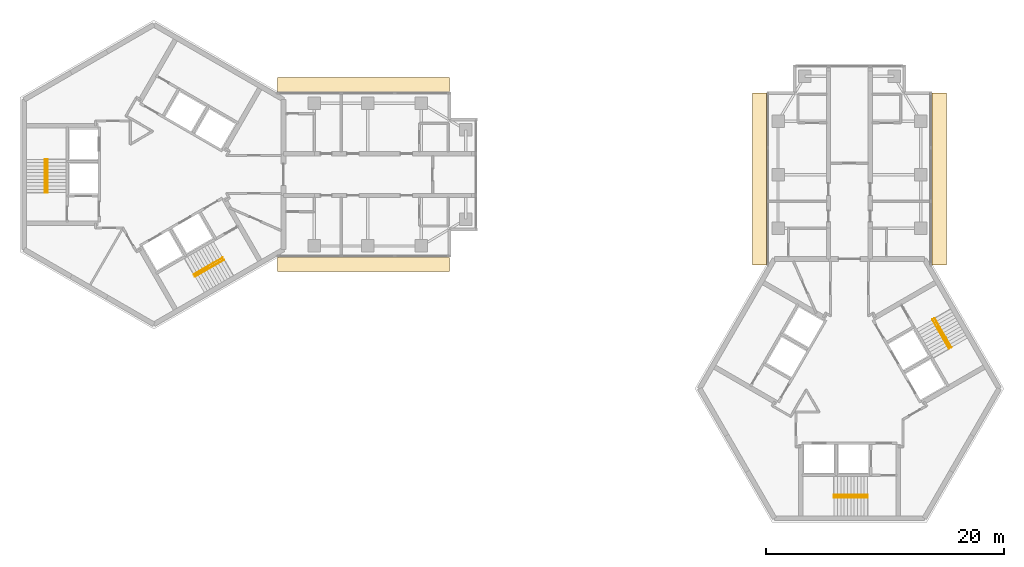
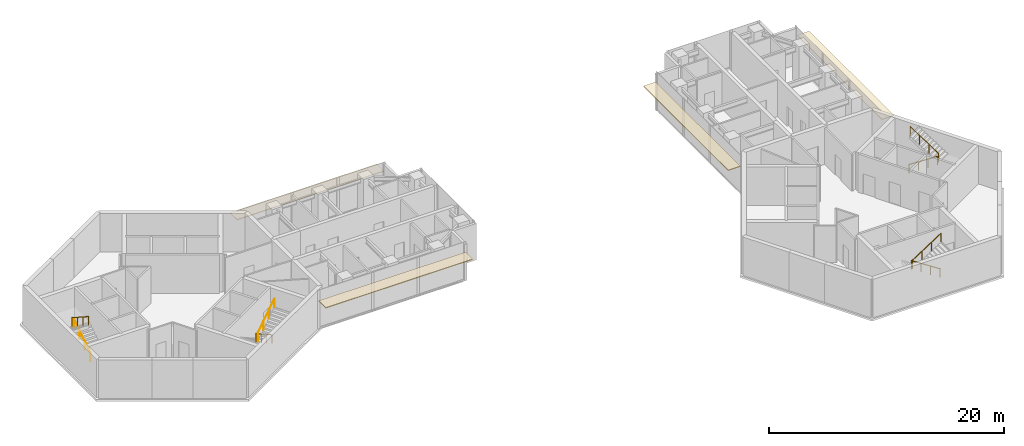
# One storey, part 11 of 11: 8 railings, 4 coverings.
"""IFC4 building model written with IfcOpenShell, lengths in metres."""

from ifc_helpers import new_model, si_unit, direction, frame, origin, origin_2d, place, context, subcontext, project, spatial, rectangle, circle, extrude, material, layer, layer_set, type_object, element, save


model = new_model("IFC4")

# Units and contexts
model_context = context("Model", 3, precision=1e-05, world=origin(), true_north=direction((0.0, 1.0)))
body_context = subcontext(model_context, "Body", "Model", "MODEL_VIEW")
ifc_project = project(units=[si_unit("LENGTHUNIT", "METRE"), si_unit("AREAUNIT", "SQUARE_METRE"), si_unit("VOLUMEUNIT", "CUBIC_METRE"), si_unit("PLANEANGLEUNIT", "RADIAN"), si_unit("MASSUNIT", "GRAM", prefix="KILO")], contexts=[model_context])

# Site, building, storey
site_placement = place(None, origin())
site = spatial("IfcSite", under=ifc_project, at=site_placement, CompositionType="ELEMENT")
building_placement = place(site_placement, origin())
building = spatial("IfcBuilding", under=site, at=building_placement, Name="Upepo Twin Towers", CompositionType="ELEMENT")
storey_placement = place(building_placement, frame((0.0, 0.0, 247.5)))
storey = spatial("IfcBuildingStorey", under=building, at=storey_placement, Name="L60", CompositionType="ELEMENT", Elevation=247.5)

# Coverings
ifc_material_1 = material(Name="Anodised aluminium, pale silver", Category="aluminium")
ifc_layer = layer(ifc_material_1, 0.080078125)
ifc_layer_set = layer_set([ifc_layer], Name="Brise-soleil blade 1200 pale aluminium")
covering_type = type_object("IfcCoveringType", Name="Brise-soleil blade 1200 pale aluminium", PredefinedType="USERDEFINED", material=ifc_layer_set)
for number, where, z_axis, x_axis, name in (
    (1, (17.61865234375, 7.56494140625, 2.909912109375), (0.0, 0.0, 1.0), (1.0, 0.0, 0.0), "T1 L60 wing A brise-soleil L"),
    (2, (17.61865234375, -7.56494140625, 2.909912109375), (0.0, 0.0, 1.0), (1.0, 0.0, 0.0), "T1 L60 wing A brise-soleil R"),
    (3, (50.93505859375, -0.38134765625, 2.909912109375), (0.0, 0.0, 1.0), (0.0, 1.0, 0.0), "T2 L60 wing A brise-soleil L"),
    (4, (66.06494140625, -0.38134765625, 2.909912109375), (0.0, 0.0, 1.0), (0.0, 1.0, 0.0), "T2 L60 wing A brise-soleil R"),
):
    element("IfcCovering", number, at=place(storey_placement, frame(where, z_axis=z_axis, x_axis=x_axis)), inside=storey, type_object=covering_type, Name=name, ObjectType="SUNSHADE", PredefinedType="USERDEFINED", context=body_context, shape_type="SweptSolid", body=[
        extrude(rectangle(XDim=14.462890625, YDim=1.199951171875, at=origin_2d()), origin(), (0.0, 0.0, 1.0), 0.080078125),
    ])

# Railings
ifc_material_2 = material(Name="Stainless steel", Category="steel")
railing_type = type_object("IfcRailingType", Name="Stair handrail 900", PredefinedType="HANDRAIL", material=ifc_material_2)
railing_1_placement = place(storey_placement, frame((-8.949951171875, -1.52001953125, 0.181884765625)))
element("IfcRailing", 5, at=railing_1_placement, inside=storey, type_object=railing_type, Name="T1 stair S1 L60 handrail 1", PredefinedType="HANDRAIL", context=body_context, shape_type="SweptSolid", body=[
    extrude(circle(Radius=0.02392578125, at=origin_2d()), frame((0.0, 0.0, 0.8759765625), z_axis=(0.0, 0.838705829183, 0.544584733623), x_axis=(-1.0, 0.0, 0.0)), (0.0, 0.0, 1.0), 3.338623046875),
    extrude(circle(Radius=0.02099609375, at=origin_2d()), origin(), (0.0, 0.0, 1.0), 0.851806640625),
    extrude(circle(Radius=0.02099609375, at=origin_2d()), frame((0.0, 0.933349609375, 0.60595703125)), (0.0, 0.0, 1.0), 0.851806640625),
    extrude(circle(Radius=0.02099609375, at=origin_2d()), frame((0.0, 1.86669921875, 1.212158203125)), (0.0, 0.0, 1.0), 0.851806640625),
    extrude(circle(Radius=0.02099609375, at=origin_2d()), frame((0.0, 2.800048828125, 1.818115234375)), (0.0, 0.0, 1.0), 0.851806640625),
])
railing_2_placement = place(storey_placement, frame((-9.158447265625, 1.280029296875, 2.181884765625)))
element("IfcRailing", 6, at=railing_2_placement, inside=storey, type_object=railing_type, Name="T1 stair S1 L60 handrail 2", PredefinedType="HANDRAIL", context=body_context, shape_type="SweptSolid", body=[
    extrude(circle(Radius=0.02392578125, at=origin_2d()), frame((0.0, 0.0, 0.8759765625), z_axis=(0.0, -0.838705829183, 0.544584733623), x_axis=(1.0, 0.0, 0.0)), (0.0, 0.0, 1.0), 3.338623046875),
    extrude(circle(Radius=0.02099609375, at=origin_2d()), origin(), (0.0, 0.0, 1.0), 0.851806640625),
    extrude(circle(Radius=0.02099609375, at=origin_2d()), frame((0.0, -0.933349609375, 0.60595703125)), (0.0, 0.0, 1.0), 0.851806640625),
    extrude(circle(Radius=0.02099609375, at=origin_2d()), frame((0.0, -1.86669921875, 1.212158203125)), (0.0, 0.0, 1.0), 0.851806640625),
    extrude(circle(Radius=0.02099609375, at=origin_2d()), frame((0.0, -2.800048828125, 1.818115234375)), (0.0, 0.0, 1.0), 0.851806640625),
])
railing_3_placement = place(storey_placement, frame((5.791259765625, -6.990966796875, 0.181884765625)))
element("IfcRailing", 7, at=railing_3_placement, inside=storey, type_object=railing_type, Name="T1 stair S2 L60 handrail 1", PredefinedType="HANDRAIL", context=body_context, shape_type="SweptSolid", body=[
    extrude(circle(Radius=0.02392578125, at=origin_2d()), frame((0.0, 0.0, 0.8759765625), z_axis=(-0.726336304947, -0.419332699614, 0.544605966869), x_axis=(0.49998411664, -0.866034573852, 0.0)), (0.0, 0.0, 1.0), 3.33837890625),
    extrude(circle(Radius=0.02099609375, at=origin_2d()), origin(), (0.0, 0.0, 1.0), 0.851806640625),
    extrude(circle(Radius=0.02099609375, at=origin_2d()), frame((-0.808349609375, -0.466552734375, 0.60595703125)), (0.0, 0.0, 1.0), 0.851806640625),
    extrude(circle(Radius=0.02099609375, at=origin_2d()), frame((-1.616455078125, -0.933349609375, 1.212158203125)), (0.0, 0.0, 1.0), 0.851806640625),
    extrude(circle(Radius=0.02099609375, at=origin_2d()), frame((-2.4248046875, -1.39990234375, 1.818115234375)), (0.0, 0.0, 1.0), 0.851806640625),
])
railing_4_placement = place(storey_placement, frame((3.470703125, -8.5712890625, 2.181884765625)))
element("IfcRailing", 8, at=railing_4_placement, inside=storey, type_object=railing_type, Name="T1 stair S2 L60 handrail 2", PredefinedType="HANDRAIL", context=body_context, shape_type="SweptSolid", body=[
    extrude(circle(Radius=0.02392578125, at=origin_2d()), frame((0.0, 0.0, 0.8759765625), z_axis=(0.726336304947, 0.419332699614, 0.544605966869), x_axis=(-0.49998411664, 0.866034573852, 0.0)), (0.0, 0.0, 1.0), 3.33837890625),
    extrude(circle(Radius=0.02099609375, at=origin_2d()), origin(), (0.0, 0.0, 1.0), 0.851806640625),
    extrude(circle(Radius=0.02099609375, at=origin_2d()), frame((0.808349609375, 0.466552734375, 0.60595703125)), (0.0, 0.0, 1.0), 0.851806640625),
    extrude(circle(Radius=0.02099609375, at=origin_2d()), frame((1.616455078125, 0.933349609375, 1.212158203125)), (0.0, 0.0, 1.0), 0.851806640625),
    extrude(circle(Radius=0.02099609375, at=origin_2d()), frame((2.4248046875, 1.39990234375, 1.818115234375)), (0.0, 0.0, 1.0), 0.851806640625),
])
railing_5_placement = place(storey_placement, frame((60.02001953125, -26.949951171875, 0.181884765625)))
element("IfcRailing", 9, at=railing_5_placement, inside=storey, type_object=railing_type, Name="T2 stair S1 L60 handrail 1", PredefinedType="HANDRAIL", context=body_context, shape_type="SweptSolid", body=[
    extrude(circle(Radius=0.02392578125, at=origin_2d()), frame((0.0, 0.0, 0.8759765625), z_axis=(-0.838705829183, 0.0, 0.544584733623), x_axis=(0.0, -1.0, 0.0)), (0.0, 0.0, 1.0), 3.338623046875),
    extrude(circle(Radius=0.02099609375, at=origin_2d()), origin(), (0.0, 0.0, 1.0), 0.851806640625),
    extrude(circle(Radius=0.02099609375, at=origin_2d()), frame((-0.933349609375, 0.0, 0.60595703125)), (0.0, 0.0, 1.0), 0.851806640625),
    extrude(circle(Radius=0.02099609375, at=origin_2d()), frame((-1.86669921875, 0.0, 1.212158203125)), (0.0, 0.0, 1.0), 0.851806640625),
    extrude(circle(Radius=0.02099609375, at=origin_2d()), frame((-2.800048828125, 0.0, 1.818115234375)), (0.0, 0.0, 1.0), 0.851806640625),
])
railing_6_placement = place(storey_placement, frame((57.219970703125, -27.158447265625, 2.181884765625)))
element("IfcRailing", 10, at=railing_6_placement, inside=storey, type_object=railing_type, Name="T2 stair S1 L60 handrail 2", PredefinedType="HANDRAIL", context=body_context, shape_type="SweptSolid", body=[
    extrude(circle(Radius=0.02392578125, at=origin_2d()), frame((0.0, 0.0, 0.8759765625), z_axis=(0.838705829183, 0.0, 0.544584733623), x_axis=(0.0, 1.0, 0.0)), (0.0, 0.0, 1.0), 3.338623046875),
    extrude(circle(Radius=0.02099609375, at=origin_2d()), origin(), (0.0, 0.0, 1.0), 0.851806640625),
    extrude(circle(Radius=0.02099609375, at=origin_2d()), frame((0.933349609375, 0.0, 0.60595703125)), (0.0, 0.0, 1.0), 0.851806640625),
    extrude(circle(Radius=0.02099609375, at=origin_2d()), frame((1.86669921875, 0.0, 1.212158203125)), (0.0, 0.0, 1.0), 0.851806640625),
    extrude(circle(Radius=0.02099609375, at=origin_2d()), frame((2.800048828125, 0.0, 1.818115234375)), (0.0, 0.0, 1.0), 0.851806640625),
])
railing_7_placement = place(storey_placement, frame((65.490966796875, -12.208740234375, 0.181884765625)))
element("IfcRailing", 11, at=railing_7_placement, inside=storey, type_object=railing_type, Name="T2 stair S2 L60 handrail 1", PredefinedType="HANDRAIL", context=body_context, shape_type="SweptSolid", body=[
    extrude(circle(Radius=0.02392578125, at=origin_2d()), frame((0.0, 0.0, 0.8759765625), z_axis=(0.419332699614, -0.726336304947, 0.544605966869), x_axis=(0.866034573852, 0.49998411664, 0.0)), (0.0, 0.0, 1.0), 3.33837890625),
    extrude(circle(Radius=0.02099609375, at=origin_2d()), origin(), (0.0, 0.0, 1.0), 0.851806640625),
    extrude(circle(Radius=0.02099609375, at=origin_2d()), frame((0.466552734375, -0.808349609375, 0.60595703125)), (0.0, 0.0, 1.0), 0.851806640625),
    extrude(circle(Radius=0.02099609375, at=origin_2d()), frame((0.933349609375, -1.616455078125, 1.212158203125)), (0.0, 0.0, 1.0), 0.851806640625),
    extrude(circle(Radius=0.02099609375, at=origin_2d()), frame((1.39990234375, -2.4248046875, 1.818115234375)), (0.0, 0.0, 1.0), 0.851806640625),
])
railing_8_placement = place(storey_placement, frame((67.0712890625, -14.529296875, 2.181884765625)))
element("IfcRailing", 12, at=railing_8_placement, inside=storey, type_object=railing_type, Name="T2 stair S2 L60 handrail 2", PredefinedType="HANDRAIL", context=body_context, shape_type="SweptSolid", body=[
    extrude(circle(Radius=0.02392578125, at=origin_2d()), frame((0.0, 0.0, 0.8759765625), z_axis=(-0.419332699614, 0.726336304947, 0.544605966869), x_axis=(-0.866034573852, -0.49998411664, 0.0)), (0.0, 0.0, 1.0), 3.33837890625),
    extrude(circle(Radius=0.02099609375, at=origin_2d()), origin(), (0.0, 0.0, 1.0), 0.851806640625),
    extrude(circle(Radius=0.02099609375, at=origin_2d()), frame((-0.466552734375, 0.808349609375, 0.60595703125)), (0.0, 0.0, 1.0), 0.851806640625),
    extrude(circle(Radius=0.02099609375, at=origin_2d()), frame((-0.933349609375, 1.616455078125, 1.212158203125)), (0.0, 0.0, 1.0), 0.851806640625),
    extrude(circle(Radius=0.02099609375, at=origin_2d()), frame((-1.39990234375, 2.4248046875, 1.818115234375)), (0.0, 0.0, 1.0), 0.851806640625),
])

save(model, "model.ifc")
